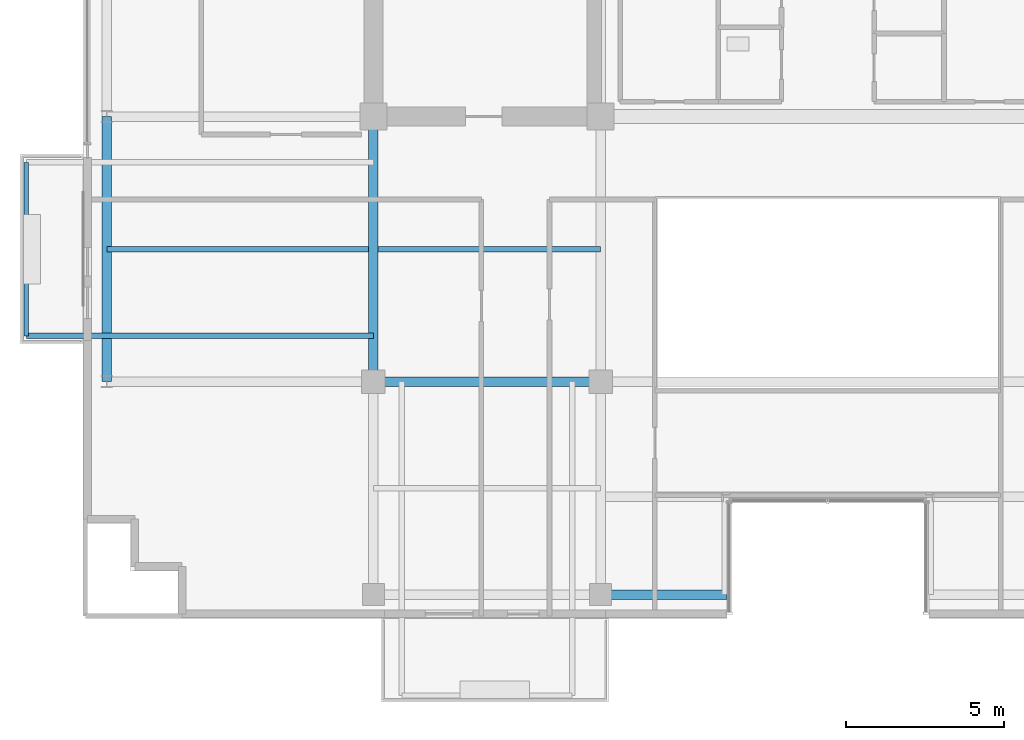
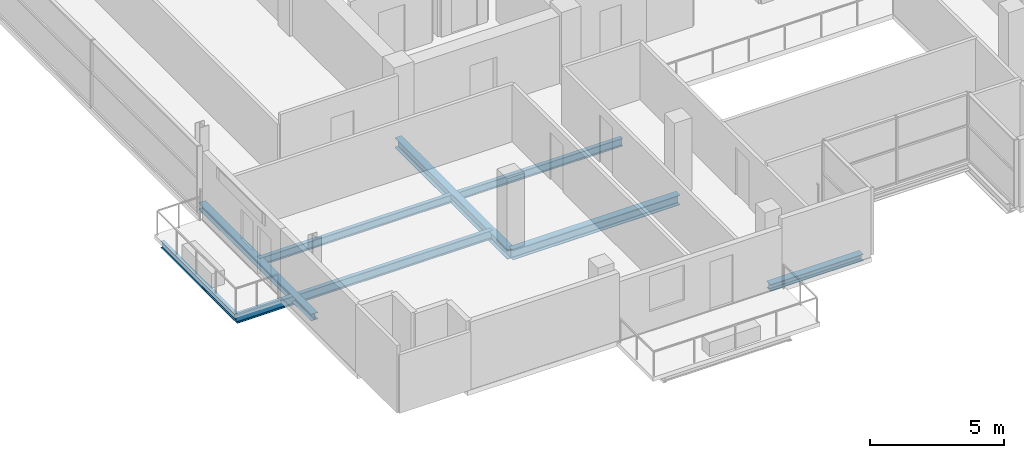
# One storey, part 2 of 22: 8 beams.
"""IFC4 building model written with IfcOpenShell, lengths in metres."""

from ifc_helpers import new_model, si_unit, direction, frame, origin, origin_2d, place, context, subcontext, project, spatial, i_section, extrude, material, material_profile, profile_set, type_object, element, save


model = new_model("IFC4")

# Units and contexts
model_context = context("Model", 3, precision=1e-05, world=origin(), true_north=direction((0.0, 1.0)))
body_context = subcontext(model_context, "Body", "Model", "MODEL_VIEW")
ifc_project = project(units=[si_unit("LENGTHUNIT", "METRE"), si_unit("AREAUNIT", "SQUARE_METRE"), si_unit("VOLUMEUNIT", "CUBIC_METRE"), si_unit("PLANEANGLEUNIT", "RADIAN"), si_unit("MASSUNIT", "GRAM", prefix="KILO")], contexts=[model_context])

# Site, building, storey
site_placement = place(None, origin())
site = spatial("IfcSite", under=ifc_project, at=site_placement, CompositionType="ELEMENT")
building_placement = place(site_placement, origin())
building = spatial("IfcBuilding", under=site, at=building_placement, Name="Zarnakvel Exchange Tower", CompositionType="ELEMENT")
storey_placement = place(building_placement, frame((0.0, 0.0, 222.10009765625)))
storey = spatial("IfcBuildingStorey", under=building, at=storey_placement, Name="L62", CompositionType="ELEMENT", Elevation=222.10009765625)

# Beams
ifc_material = material(Name="Steel S355", Category="steel")
ifc_material_profile_1 = material_profile(ifc_material, i_section(OverallWidth=0.179931640625, OverallDepth=0.39990234375, WebThickness=0.008544921875, FlangeThickness=0.013427734375, FilletRadius=0.02099609375, at=origin_2d()))
ifc_profile_set_1 = profile_set([ifc_material_profile_1], Name="Steel S355")
beam_type_1 = type_object("IfcBeamType", Name="B-06", PredefinedType="JOIST", material=ifc_profile_set_1)
beam_1_placement = place(storey_placement, frame((-14.39990234375, -8.14990234375, -0.425048828125), z_axis=(-1.0, 0.0, 0.0), x_axis=(0.0, -1.0, 0.0)))
element("IfcBeam", 1, at=beam_1_placement, inside=storey, type_object=beam_type_1, Name="L62 Continuous West Loggia Beam S", PredefinedType="JOIST", context=body_context, shape_type="SweptSolid", body=[
    extrude(i_section(OverallWidth=0.179931640625, OverallDepth=0.39990234375, WebThickness=0.008544921875, FlangeThickness=0.013427734375, FilletRadius=0.02099609375, at=origin_2d()), origin(), (0.0, 0.0, 1.0), 11.0),
])
ifc_material_profile_2 = material_profile(ifc_material, i_section(OverallWidth=0.169921875, OverallDepth=0.360107421875, WebThickness=0.008056640625, FlangeThickness=0.0126953125, FilletRadius=0.01806640625, at=origin_2d()))
ifc_profile_set_2 = profile_set([ifc_material_profile_2], Name="Steel S355")
beam_type_2 = type_object("IfcBeamType", Name="B-07", PredefinedType="JOIST", material=ifc_profile_set_2)
beam_2_placement = place(storey_placement, frame((-22.85009765625, -5.39990234375, -0.405029296875), z_axis=(1.0, 0.0, 0.0), x_axis=(0.0, 1.0, 0.0)))
element("IfcBeam", 2, at=beam_2_placement, inside=storey, type_object=beam_type_2, Name="L62 Composite Floor Secondary Joist", PredefinedType="JOIST", context=body_context, shape_type="SweptSolid", body=[
    extrude(i_section(OverallWidth=0.169921875, OverallDepth=0.360107421875, WebThickness=0.008056640625, FlangeThickness=0.0126953125, FilletRadius=0.01806640625, at=origin_2d()), origin(), (0.0, 0.0, 1.0), 8.300048828125),
])
beam_3_placement = place(storey_placement, frame((-14.25, -5.39990234375, -0.405029296875), z_axis=(1.0, 0.0, 0.0), x_axis=(0.0, 1.0, 0.0)))
element("IfcBeam", 3, at=beam_3_placement, inside=storey, type_object=beam_type_2, Name="L62 Composite Floor Secondary Joist", PredefinedType="JOIST", context=body_context, shape_type="SweptSolid", body=[
    extrude(i_section(OverallWidth=0.169921875, OverallDepth=0.360107421875, WebThickness=0.008056640625, FlangeThickness=0.0126953125, FilletRadius=0.01806640625, at=origin_2d()), origin(), (0.0, 0.0, 1.0), 7.050048828125),
])
ifc_material_profile_3 = material_profile(ifc_material, i_section(OverallWidth=0.14990234375, OverallDepth=0.300048828125, WebThickness=0.007080078125, FlangeThickness=0.0107421875, FilletRadius=0.014892578125, at=origin_2d()))
ifc_profile_set_3 = profile_set([ifc_material_profile_3], Name="Steel S355")
beam_type_3 = type_object("IfcBeamType", Name="B-08", PredefinedType="JOIST", material=ifc_profile_set_3)
beam_4_placement = place(storey_placement, frame((-25.39990234375, -8.14990234375, -0.375), z_axis=(0.0, 1.0, 0.0), x_axis=(-1.0, 0.0, 0.0)))
element("IfcBeam", 4, at=beam_4_placement, inside=storey, type_object=beam_type_3, Name="L62 West Loggia Edge Beam", PredefinedType="JOIST", context=body_context, shape_type="SweptSolid", body=[
    extrude(i_section(OverallWidth=0.14990234375, OverallDepth=0.300048828125, WebThickness=0.007080078125, FlangeThickness=0.0107421875, FilletRadius=0.014892578125, at=origin_2d()), origin(), (0.0, 0.0, 1.0), 5.5),
])
ifc_material_profile_4 = material_profile(ifc_material, i_section(OverallWidth=0.300048828125, OverallDepth=0.449951171875, WebThickness=0.013916015625, FlangeThickness=0.02587890625, FilletRadius=0.027099609375, at=origin_2d()))
ifc_profile_set_4 = profile_set([ifc_material_profile_4], Name="Steel S355")
beam_type_4 = type_object("IfcBeamType", Name="G-07", PredefinedType="BEAM", material=ifc_profile_set_4)
beam_5_placement = place(storey_placement, frame((-14.39990234375, -9.60009765625, -0.4501953125), z_axis=(1.0, 0.0, 0.0), x_axis=(0.0, 1.0, 0.0)))
element("IfcBeam", 5, at=beam_5_placement, inside=storey, type_object=beam_type_4, Name="L62 Tower E-W Frame Beam", PredefinedType="BEAM", context=body_context, shape_type="SweptSolid", body=[
    extrude(i_section(OverallWidth=0.300048828125, OverallDepth=0.449951171875, WebThickness=0.013916015625, FlangeThickness=0.02587890625, FilletRadius=0.027099609375, at=origin_2d()), origin(), (0.0, 0.0, 1.0), 7.199951171875),
])
beam_6_placement = place(storey_placement, frame((-14.39990234375, -9.60009765625, -0.4501953125), z_axis=(0.0, 1.0, 0.0), x_axis=(-1.0, 0.0, 0.0)))
element("IfcBeam", 6, at=beam_6_placement, inside=storey, type_object=beam_type_4, Name="L62 Tower N-S Frame Beam", PredefinedType="BEAM", context=body_context, shape_type="SweptSolid", body=[
    extrude(i_section(OverallWidth=0.300048828125, OverallDepth=0.449951171875, WebThickness=0.013916015625, FlangeThickness=0.02587890625, FilletRadius=0.027099609375, at=origin_2d()), origin(), (0.0, 0.0, 1.0), 8.400146484375),
])
ifc_material_profile_5 = material_profile(ifc_material, i_section(OverallWidth=0.300048828125, OverallDepth=0.300048828125, WebThickness=0.010986328125, FlangeThickness=0.01904296875, FilletRadius=0.027099609375, at=origin_2d()))
ifc_profile_set_5 = profile_set([ifc_material_profile_5], Name="Steel S355")
beam_type_5 = type_object("IfcBeamType", Name="SP-03", PredefinedType="SPANDREL", material=ifc_profile_set_5)
beam_7_placement = place(storey_placement, frame((-7.199951171875, -16.35009765625, -0.375), z_axis=(1.0, 0.0, 0.0), x_axis=(0.0, 1.0, 0.0)))
element("IfcBeam", 7, at=beam_7_placement, inside=storey, type_object=beam_type_5, Name="L62 South Slot West Jamb Spandrel", PredefinedType="SPANDREL", context=body_context, shape_type="SweptSolid", body=[
    extrude(i_section(OverallWidth=0.300048828125, OverallDepth=0.300048828125, WebThickness=0.010986328125, FlangeThickness=0.01904296875, FilletRadius=0.027099609375, at=origin_2d()), origin(), (0.0, 0.0, 1.0), 4.0),
])
beam_8_placement = place(storey_placement, frame((-22.85009765625, -9.60009765625, -0.375), z_axis=(0.0, 1.0, 0.0), x_axis=(-1.0, 0.0, 0.0)))
element("IfcBeam", 8, at=beam_8_placement, inside=storey, type_object=beam_type_5, Name="L62 Tower N-S Frame Beam", PredefinedType="SPANDREL", context=body_context, shape_type="SweptSolid", body=[
    extrude(i_section(OverallWidth=0.300048828125, OverallDepth=0.300048828125, WebThickness=0.010986328125, FlangeThickness=0.01904296875, FilletRadius=0.027099609375, at=origin_2d()), origin(), (0.0, 0.0, 1.0), 8.400146484375),
])

save(model, "model.ifc")
